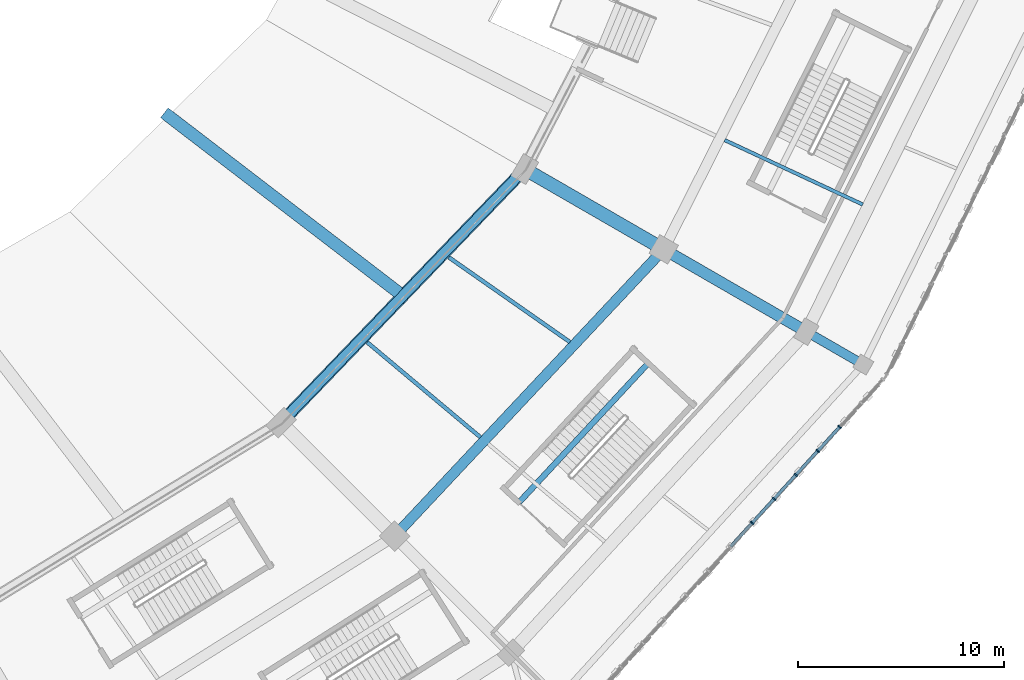
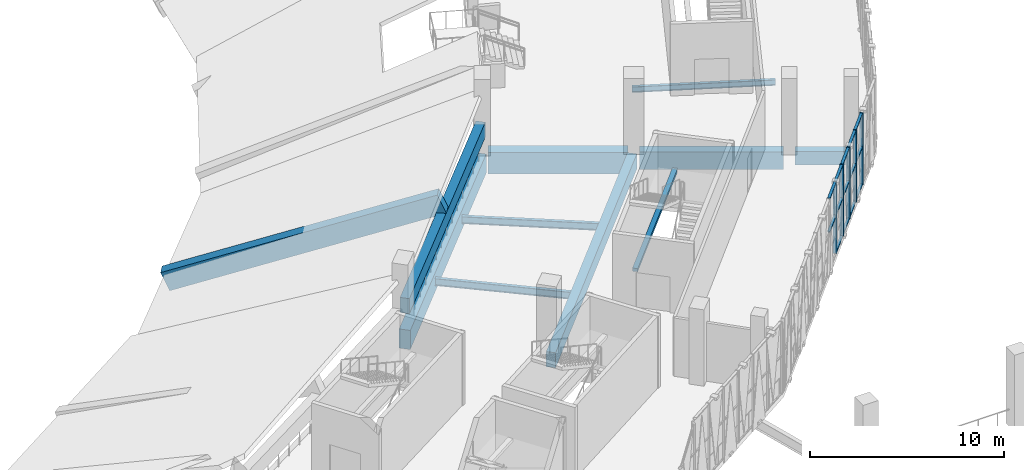
# One storey, part 33 of 183: 19 members, 11 beams, 1 element without a shape of its own.
"""IFC4 building model written with IfcOpenShell, lengths in metres."""

from ifc_helpers import new_model, si_unit, direction, frame, origin, origin_2d, place, context, subcontext, project, spatial, rectangle, i_section, extrude, material, material_profile, profile_set, type_object, element, aggregate, save


model = new_model("IFC4")

# Units and contexts
model_context = context("Model", 3, precision=1e-05, world=origin(), true_north=direction((0.0, 1.0)))
body_context = subcontext(model_context, "Body", "Model", "MODEL_VIEW")
ifc_project = project(units=[si_unit("LENGTHUNIT", "METRE"), si_unit("AREAUNIT", "SQUARE_METRE"), si_unit("VOLUMEUNIT", "CUBIC_METRE"), si_unit("PLANEANGLEUNIT", "RADIAN"), si_unit("MASSUNIT", "GRAM", prefix="KILO")], contexts=[model_context])

# Site, building, storey
site_placement = place(None, origin())
site = spatial("IfcSite", under=ifc_project, at=site_placement, CompositionType="ELEMENT")
building_placement = place(site_placement, origin())
building = spatial("IfcBuilding", under=site, at=building_placement, Name="Zevraka Park Crest Stadium", CompositionType="ELEMENT")
storey_placement = place(building_placement, frame((0.0, 0.0, 5.39990234375)))
storey = spatial("IfcBuildingStorey", under=building, at=storey_placement, Name="L01", CompositionType="ELEMENT", Elevation=5.39990234375)

# Beams
ifc_material_1 = material(Name="Concrete C40/50", Category="concrete")
ifc_material_profile_1 = material_profile(ifc_material_1, rectangle(XDim=0.64990234375, YDim=1.35009765625, at=origin_2d()), Name="RC 1350x650")
ifc_profile_set_1 = profile_set([ifc_material_profile_1], Name="Concrete C40/50")
beam_type_1 = type_object("IfcBeamType", Name="BG01", PredefinedType="BEAM", material=ifc_profile_set_1)
beam_1_placement = place(storey_placement, frame((176.779052734375, 62.10009765625, -0.684814453125), z_axis=(0.866001485781, -0.500041424909, 0.0), x_axis=(0.500041424909, 0.866001485781, 0.0)))
element("IfcBeam", 1, at=beam_1_placement, inside=storey, type_object=beam_type_1, Name="Radial Girder BG01 L01-BC-22", PredefinedType="BEAM", context=body_context, shape_type="SweptSolid", body=[
    extrude(rectangle(XDim=0.64990234375, YDim=1.35009765625, at=origin_2d()), origin(), (0.0, 0.0, 1.0), 7.19970703125),
])
ifc_material_2 = material(Name="Concrete C40/50", Category="concrete")
ifc_material_profile_2 = material_profile(ifc_material_2, rectangle(XDim=0.550048828125, YDim=1.10009765625, at=origin_2d()), Name="RC 1100x550")
ifc_profile_set_2 = profile_set([ifc_material_profile_2], Name="Concrete C40/50")
beam_type_2 = type_object("IfcBeamType", Name="BG02", PredefinedType="BEAM", material=ifc_profile_set_2)
beam_2_placement = place(storey_placement, frame((183.533935546875, 58.199951171875, -0.559814453125), z_axis=(0.86600700885, -0.500031859608, 0.0), x_axis=(0.500031859608, 0.86600700885, 0.0)))
element("IfcBeam", 2, at=beam_2_placement, inside=storey, type_object=beam_type_2, Name="Radial Girder BG02 L01-CD-22", PredefinedType="BEAM", context=body_context, shape_type="SweptSolid", body=[
    extrude(rectangle(XDim=0.550048828125, YDim=1.10009765625, at=origin_2d()), origin(), (0.0, 0.0, 1.0), 7.3994140625),
])
ifc_material_3 = material(Name="Concrete C40/50", Category="concrete")
ifc_material_profile_3 = material_profile(ifc_material_3, rectangle(XDim=0.449951171875, YDim=0.85009765625, at=origin_2d()), Name="RC 850x450")
ifc_profile_set_3 = profile_set([ifc_material_profile_3], Name="Concrete C40/50")
beam_type_3 = type_object("IfcBeamType", Name="BG03", PredefinedType="BEAM", material=ifc_profile_set_3)
beam_3_placement = place(storey_placement, frame((190.4619140625, 54.199951171875, -0.434814453125), z_axis=(0.865950948929, -0.500128937424, 0.0), x_axis=(0.500128937424, 0.865950948929, 0.0)))
element("IfcBeam", 3, at=beam_3_placement, inside=storey, type_object=beam_type_3, Name="Radial Girder BG03 L01-DE-22", PredefinedType="BEAM", context=body_context, shape_type="SweptSolid", body=[
    extrude(rectangle(XDim=0.449951171875, YDim=0.85009765625, at=origin_2d()), origin(), (0.0, 0.0, 1.0), 2.599365234375),
])

# Curtain wall, members
ifc_material_4 = material(Name="Anodised architectural aluminium and laminated safety glass", Category="aluminium")
curtain_wall_type = type_object("IfcCurtainWallType", Name="CW03", PredefinedType="NOTDEFINED", material=ifc_material_4)
curtain_wall_placement = place(storey_placement, origin())
curtain_wall = element("IfcCurtainWall", 4, at=curtain_wall_placement, inside=storey, type_object=curtain_wall_type, Name="Unitised Ring Curtain Wall CW03 L01-21", PredefinedType="NOTDEFINED")
ifc_material_5 = material(Name="Anodised architectural aluminium", Category="aluminium")
ifc_material_profile_4 = material_profile(ifc_material_5, rectangle(XDim=0.199951171875, YDim=0.070068359375, at=origin_2d()), Name="ALU MULLION 200x70")
ifc_profile_set_4 = profile_set([ifc_material_profile_4], Name="Anodised architectural aluminium")
member_type_1 = type_object("IfcMemberType", Name="CM03", PredefinedType="MULLION", material=ifc_profile_set_4)
member_1_placement = place(storey_placement, frame((187.570068359375, 45.0556640625, 0.0), z_axis=(0.0, 0.0, 1.0), x_axis=(-0.739023476371, 0.673679672672, 0.0)))
member_1 = element("IfcMember", 5, at=member_1_placement, type_object=member_type_1, Name="CW03 mullion 9", PredefinedType="MULLION", context=body_context, shape_type="SweptSolid", body=[
    extrude(rectangle(XDim=0.199951171875, YDim=0.070068359375, at=origin_2d()), origin(), (0.0, 0.0, 1.0), 4.52001953125),
])
member_2_placement = place(storey_placement, frame((188.6328125, 46.221435546875, 0.0), z_axis=(0.0, 0.0, 1.0), x_axis=(-0.739023476371, 0.673679672672, 0.0)))
member_2 = element("IfcMember", 6, at=member_2_placement, type_object=member_type_1, Name="CW03 mullion 10", PredefinedType="MULLION", context=body_context, shape_type="SweptSolid", body=[
    extrude(rectangle(XDim=0.199951171875, YDim=0.070068359375, at=origin_2d()), origin(), (0.0, 0.0, 1.0), 4.52001953125),
])
member_3_placement = place(storey_placement, frame((189.6953125, 47.38720703125, 0.0), z_axis=(0.0, 0.0, 1.0), x_axis=(-0.739023476371, 0.673679672672, 0.0)))
member_3 = element("IfcMember", 7, at=member_3_placement, type_object=member_type_1, Name="CW03 mullion 11", PredefinedType="MULLION", context=body_context, shape_type="SweptSolid", body=[
    extrude(rectangle(XDim=0.199951171875, YDim=0.070068359375, at=origin_2d()), origin(), (0.0, 0.0, 1.0), 4.52001953125),
])
member_4_placement = place(storey_placement, frame((190.758056640625, 48.552978515625, 0.0), z_axis=(0.0, 0.0, 1.0), x_axis=(-0.739023476371, 0.673679672672, 0.0)))
member_4 = element("IfcMember", 8, at=member_4_placement, type_object=member_type_1, Name="CW03 mullion 12", PredefinedType="MULLION", context=body_context, shape_type="SweptSolid", body=[
    extrude(rectangle(XDim=0.199951171875, YDim=0.070068359375, at=origin_2d()), origin(), (0.0, 0.0, 1.0), 4.52001953125),
])
member_5_placement = place(storey_placement, frame((191.82080078125, 49.718505859375, 0.0), z_axis=(0.0, 0.0, 1.0), x_axis=(-0.739023476371, 0.673679672672, 0.0)))
member_5 = element("IfcMember", 9, at=member_5_placement, type_object=member_type_1, Name="CW03 mullion 13", PredefinedType="MULLION", context=body_context, shape_type="SweptSolid", body=[
    extrude(rectangle(XDim=0.199951171875, YDim=0.070068359375, at=origin_2d()), origin(), (0.0, 0.0, 1.0), 4.52001953125),
])
ifc_material_6 = material(Name="Anodised architectural aluminium", Category="aluminium")
ifc_material_profile_5 = material_profile(ifc_material_6, rectangle(XDim=0.14990234375, YDim=0.070068359375, at=origin_2d()), Name="ALU TRANSOM 150x70")
ifc_profile_set_5 = profile_set([ifc_material_profile_5], Name="Anodised architectural aluminium")
member_type_2 = type_object("IfcMemberType", Name="CT03", PredefinedType="USERDEFINED", material=ifc_profile_set_5)
member_6_placement = place(storey_placement, frame((186.531005859375, 43.915771484375, 2.400146484375), z_axis=(0.673720043681, 0.738986672913, 0.0), x_axis=(-0.738986672913, 0.673720043681, 0.0)))
member_6 = element("IfcMember", 10, at=member_6_placement, type_object=member_type_2, Name="CW03 transom 8.2", ObjectType="TRANSOM", PredefinedType="USERDEFINED", context=body_context, shape_type="SweptSolid", body=[
    extrude(rectangle(XDim=0.14990234375, YDim=0.070068359375, at=origin_2d()), origin(), (0.0, 0.0, 1.0), 1.507568359375),
])
member_7_placement = place(storey_placement, frame((186.531005859375, 43.915771484375, 4.485107421875), z_axis=(0.673720043681, 0.738986672913, 0.0), x_axis=(-0.738986672913, 0.673720043681, 0.0)))
member_7 = element("IfcMember", 11, at=member_7_placement, type_object=member_type_2, Name="CW03 transom 8.3", ObjectType="TRANSOM", PredefinedType="USERDEFINED", context=body_context, shape_type="SweptSolid", body=[
    extrude(rectangle(XDim=0.14990234375, YDim=0.070068359375, at=origin_2d()), origin(), (0.0, 0.0, 1.0), 1.507568359375),
])
member_8_placement = place(storey_placement, frame((187.59375, 45.08154296875, 0.03515625), z_axis=(0.673631587043, 0.739067307448, 0.0), x_axis=(-0.739067307448, 0.673631587043, 0.0)))
member_8 = element("IfcMember", 12, at=member_8_placement, type_object=member_type_2, Name="CW03 transom 9.1", ObjectType="TRANSOM", PredefinedType="USERDEFINED", context=body_context, shape_type="SweptSolid", body=[
    extrude(rectangle(XDim=0.14990234375, YDim=0.070068359375, at=origin_2d()), origin(), (0.0, 0.0, 1.0), 1.50732421875),
])
member_9_placement = place(storey_placement, frame((187.59375, 45.08154296875, 2.400146484375), z_axis=(0.673631587043, 0.739067307448, 0.0), x_axis=(-0.739067307448, 0.673631587043, 0.0)))
member_9 = element("IfcMember", 13, at=member_9_placement, type_object=member_type_2, Name="CW03 transom 9.2", ObjectType="TRANSOM", PredefinedType="USERDEFINED", context=body_context, shape_type="SweptSolid", body=[
    extrude(rectangle(XDim=0.14990234375, YDim=0.070068359375, at=origin_2d()), origin(), (0.0, 0.0, 1.0), 1.50732421875),
])
member_10_placement = place(storey_placement, frame((187.59375, 45.08154296875, 4.485107421875), z_axis=(0.673631587043, 0.739067307448, 0.0), x_axis=(-0.739067307448, 0.673631587043, 0.0)))
member_10 = element("IfcMember", 14, at=member_10_placement, type_object=member_type_2, Name="CW03 transom 9.3", ObjectType="TRANSOM", PredefinedType="USERDEFINED", context=body_context, shape_type="SweptSolid", body=[
    extrude(rectangle(XDim=0.14990234375, YDim=0.070068359375, at=origin_2d()), origin(), (0.0, 0.0, 1.0), 1.50732421875),
])
member_11_placement = place(storey_placement, frame((188.65625, 46.247314453125, 0.03515625), z_axis=(0.673720043681, 0.738986672913, 0.0), x_axis=(-0.738986672913, 0.673720043681, 0.0)))
member_11 = element("IfcMember", 15, at=member_11_placement, type_object=member_type_2, Name="CW03 transom 10.1", ObjectType="TRANSOM", PredefinedType="USERDEFINED", context=body_context, shape_type="SweptSolid", body=[
    extrude(rectangle(XDim=0.14990234375, YDim=0.070068359375, at=origin_2d()), origin(), (0.0, 0.0, 1.0), 1.507568359375),
])
member_12_placement = place(storey_placement, frame((188.65625, 46.247314453125, 2.400146484375), z_axis=(0.673720043681, 0.738986672913, 0.0), x_axis=(-0.738986672913, 0.673720043681, 0.0)))
member_12 = element("IfcMember", 16, at=member_12_placement, type_object=member_type_2, Name="CW03 transom 10.2", ObjectType="TRANSOM", PredefinedType="USERDEFINED", context=body_context, shape_type="SweptSolid", body=[
    extrude(rectangle(XDim=0.14990234375, YDim=0.070068359375, at=origin_2d()), origin(), (0.0, 0.0, 1.0), 1.507568359375),
])
member_13_placement = place(storey_placement, frame((188.65625, 46.247314453125, 4.485107421875), z_axis=(0.673720043681, 0.738986672913, 0.0), x_axis=(-0.738986672913, 0.673720043681, 0.0)))
member_13 = element("IfcMember", 17, at=member_13_placement, type_object=member_type_2, Name="CW03 transom 10.3", ObjectType="TRANSOM", PredefinedType="USERDEFINED", context=body_context, shape_type="SweptSolid", body=[
    extrude(rectangle(XDim=0.14990234375, YDim=0.070068359375, at=origin_2d()), origin(), (0.0, 0.0, 1.0), 1.507568359375),
])
member_14_placement = place(storey_placement, frame((189.718994140625, 47.4130859375, 0.03515625), z_axis=(0.673631587043, 0.739067307448, 0.0), x_axis=(-0.739067307448, 0.673631587043, 0.0)))
member_14 = element("IfcMember", 18, at=member_14_placement, type_object=member_type_2, Name="CW03 transom 11.1", ObjectType="TRANSOM", PredefinedType="USERDEFINED", context=body_context, shape_type="SweptSolid", body=[
    extrude(rectangle(XDim=0.14990234375, YDim=0.070068359375, at=origin_2d()), origin(), (0.0, 0.0, 1.0), 1.50732421875),
])
member_15_placement = place(storey_placement, frame((189.718994140625, 47.4130859375, 2.400146484375), z_axis=(0.673631587043, 0.739067307448, 0.0), x_axis=(-0.739067307448, 0.673631587043, 0.0)))
member_15 = element("IfcMember", 19, at=member_15_placement, type_object=member_type_2, Name="CW03 transom 11.2", ObjectType="TRANSOM", PredefinedType="USERDEFINED", context=body_context, shape_type="SweptSolid", body=[
    extrude(rectangle(XDim=0.14990234375, YDim=0.070068359375, at=origin_2d()), origin(), (0.0, 0.0, 1.0), 1.50732421875),
])
member_16_placement = place(storey_placement, frame((189.718994140625, 47.4130859375, 4.485107421875), z_axis=(0.673631587043, 0.739067307448, 0.0), x_axis=(-0.739067307448, 0.673631587043, 0.0)))
member_16 = element("IfcMember", 20, at=member_16_placement, type_object=member_type_2, Name="CW03 transom 11.3", ObjectType="TRANSOM", PredefinedType="USERDEFINED", context=body_context, shape_type="SweptSolid", body=[
    extrude(rectangle(XDim=0.14990234375, YDim=0.070068359375, at=origin_2d()), origin(), (0.0, 0.0, 1.0), 1.50732421875),
])
member_17_placement = place(storey_placement, frame((190.78173828125, 48.57861328125, 0.03515625), z_axis=(0.673631587043, 0.739067307448, 0.0), x_axis=(-0.739067307448, 0.673631587043, 0.0)))
member_17 = element("IfcMember", 21, at=member_17_placement, type_object=member_type_2, Name="CW03 transom 12.1", ObjectType="TRANSOM", PredefinedType="USERDEFINED", context=body_context, shape_type="SweptSolid", body=[
    extrude(rectangle(XDim=0.14990234375, YDim=0.070068359375, at=origin_2d()), origin(), (0.0, 0.0, 1.0), 1.50732421875),
])
member_18_placement = place(storey_placement, frame((190.78173828125, 48.57861328125, 2.400146484375), z_axis=(0.673631587043, 0.739067307448, 0.0), x_axis=(-0.739067307448, 0.673631587043, 0.0)))
member_18 = element("IfcMember", 22, at=member_18_placement, type_object=member_type_2, Name="CW03 transom 12.2", ObjectType="TRANSOM", PredefinedType="USERDEFINED", context=body_context, shape_type="SweptSolid", body=[
    extrude(rectangle(XDim=0.14990234375, YDim=0.070068359375, at=origin_2d()), origin(), (0.0, 0.0, 1.0), 1.50732421875),
])
member_19_placement = place(storey_placement, frame((190.78173828125, 48.57861328125, 4.485107421875), z_axis=(0.673631587043, 0.739067307448, 0.0), x_axis=(-0.739067307448, 0.673631587043, 0.0)))
member_19 = element("IfcMember", 23, at=member_19_placement, type_object=member_type_2, Name="CW03 transom 12.3", ObjectType="TRANSOM", PredefinedType="USERDEFINED", context=body_context, shape_type="SweptSolid", body=[
    extrude(rectangle(XDim=0.14990234375, YDim=0.070068359375, at=origin_2d()), origin(), (0.0, 0.0, 1.0), 1.50732421875),
])
aggregate(curtain_wall, [member_1, member_2, member_3, member_4, member_5, member_6, member_7, member_8, member_9, member_10, member_11, member_12, member_13, member_14, member_15, member_16, member_17, member_18, member_19])

# Beams
ifc_material_7 = material(Name="Concrete C40/50", Category="concrete")
ifc_material_profile_6 = material_profile(ifc_material_7, rectangle(XDim=0.60009765625, YDim=1.199951171875, at=origin_2d()), Name="RC 1200x600")
ifc_profile_set_6 = profile_set([ifc_material_profile_6], Name="Concrete C40/50")
beam_type_4 = type_object("IfcBeamType", Name="RB01", PredefinedType="BEAM", material=ifc_profile_set_6)
beam_4_placement = place(storey_placement, frame((164.94189453125, 50.200927734375, -0.60986328125), z_axis=(0.692852617328, 0.721079226342, 0.0), x_axis=(-0.721079226342, 0.692852617328, 0.0)))
element("IfcBeam", 24, at=beam_4_placement, inside=storey, type_object=beam_type_4, Name="Ring Beam RB01 L01-B-21", PredefinedType="BEAM", context=body_context, shape_type="SweptSolid", body=[
    extrude(rectangle(XDim=0.60009765625, YDim=1.199951171875, at=origin_2d()), origin(), (0.0, 0.0, 1.0), 16.329833984375),
])
ifc_material_8 = material(Name="Concrete C40/50", Category="concrete")
ifc_material_profile_7 = material_profile(ifc_material_8, rectangle(XDim=0.5, YDim=0.949951171875, at=origin_2d()), Name="RC 950x500")
ifc_profile_set_7 = profile_set([ifc_material_profile_7], Name="Concrete C40/50")
beam_type_5 = type_object("IfcBeamType", Name="RB02", PredefinedType="BEAM", material=ifc_profile_set_7)
beam_5_placement = place(storey_placement, frame((170.455078125, 44.68896484375, -0.48486328125), z_axis=(0.684268936493, 0.729229746068, 0.0), x_axis=(-0.729229746068, 0.684268936493, 0.0)))
element("IfcBeam", 25, at=beam_5_placement, inside=storey, type_object=beam_type_5, Name="Ring Beam RB02 L01-C-21", PredefinedType="BEAM", context=body_context, shape_type="SweptSolid", body=[
    extrude(rectangle(XDim=0.5, YDim=0.949951171875, at=origin_2d()), origin(), (0.0, 0.0, 1.0), 18.353759765625),
])
beam_6_placement = place(storey_placement, frame((164.94189453125, 50.200927734375, 1.505126953125), z_axis=(0.692852617328, 0.721079226342, 0.0), x_axis=(-0.721079226342, 0.692852617328, 0.0)))
element("IfcBeam", 26, at=beam_6_placement, inside=storey, type_object=beam_type_5, Name="Lower Tier Head Raker Ring Beam RB02 21", PredefinedType="BEAM", context=body_context, shape_type="SweptSolid", body=[
    extrude(rectangle(XDim=0.5, YDim=0.949951171875, at=origin_2d()), origin(), (0.0, 0.0, 1.0), 16.329833984375),
])
ifc_material_9 = material(Name="Concrete C40/50", Category="concrete")
ifc_material_profile_8 = material_profile(ifc_material_9, rectangle(XDim=0.60009765625, YDim=1.199951171875, at=origin_2d()), Name="RC 1200x600")
ifc_profile_set_8 = profile_set([ifc_material_profile_8], Name="Concrete C40/50")
beam_type_6 = type_object("IfcBeamType", Name="RK01", PredefinedType="BEAM", material=ifc_profile_set_8)
beam_7_placement = place(storey_placement, frame((159.194091796875, 64.840087890625, -3.64990234375), z_axis=(0.728653940697, -0.559167614686, 0.395468094026), x_axis=(0.608796912594, 0.793326111518, 0.0)))
element("IfcBeam", 27, at=beam_7_placement, inside=storey, type_object=beam_type_6, Name="Lower Bowl Raker Girder RK01 21", PredefinedType="BEAM", context=body_context, shape_type="SweptSolid", body=[
    extrude(rectangle(XDim=0.60009765625, YDim=1.199951171875, at=origin_2d()), origin(), (0.0, 0.0, 1.0), 15.652099609375),
])
ifc_material_10 = material(Name="Steel S355", Category="steel")
ifc_material_profile_9 = material_profile(ifc_material_10, i_section(OverallWidth=0.169921875, OverallDepth=0.360107421875, WebThickness=0.008056640625, FlangeThickness=0.0126953125, at=origin_2d()), Name="IPE 360")
ifc_profile_set_9 = profile_set([ifc_material_profile_9], Name="Steel S355")
beam_type_7 = type_object("IfcBeamType", Name="SJ02", PredefinedType="JOIST", material=ifc_profile_set_9)
beam_8_placement = place(storey_placement, frame((186.237060546875, 63.656982421875, -0.48779296875), z_axis=(0.906183982971, -0.42288365895, 0.0), x_axis=(0.42288365895, 0.906183982971, 0.0)))
element("IfcBeam", 28, at=beam_8_placement, inside=storey, type_object=beam_type_7, Name="Floor Joist SJ02 L01-CD-22-1", PredefinedType="JOIST", context=body_context, shape_type="SweptSolid", body=[
    extrude(i_section(OverallWidth=0.169921875, OverallDepth=0.360107421875, WebThickness=0.008056640625, FlangeThickness=0.0126953125, at=origin_2d()), origin(), (0.0, 0.0, 1.0), 7.39892578125),
])
ifc_material_11 = material(Name="Steel S355", Category="steel")
ifc_material_profile_10 = material_profile(ifc_material_11, i_section(OverallWidth=0.18994140625, OverallDepth=0.449951171875, WebThickness=0.009521484375, FlangeThickness=0.0146484375, at=origin_2d()), Name="IPE 450")
ifc_profile_set_10 = profile_set([ifc_material_profile_10], Name="Steel S355")
beam_type_8 = type_object("IfcBeamType", Name="SJ03", PredefinedType="JOIST", material=ifc_profile_set_10)
beam_9_placement = place(storey_placement, frame((168.866943359375, 53.83203125, -0.532958984375), z_axis=(0.765981429362, -0.642862699083, 0.0), x_axis=(0.642862699083, 0.765981429362, 0.0)))
element("IfcBeam", 29, at=beam_9_placement, inside=storey, type_object=beam_type_8, Name="Floor Joist SJ03 L01-BC-21-1", PredefinedType="JOIST", context=body_context, shape_type="SweptSolid", body=[
    extrude(i_section(OverallWidth=0.18994140625, OverallDepth=0.449951171875, WebThickness=0.009521484375, FlangeThickness=0.0146484375, at=origin_2d()), origin(), (0.0, 0.0, 1.0), 7.180419921875),
])
beam_10_placement = place(storey_placement, frame((172.830078125, 57.9619140625, -0.532958984375), z_axis=(0.819291006528, -0.573377926522, 0.0), x_axis=(0.573377926522, 0.819291006528, 0.0)))
element("IfcBeam", 30, at=beam_10_placement, inside=storey, type_object=beam_type_8, Name="Floor Joist SJ03 L01-BC-21-2", PredefinedType="JOIST", context=body_context, shape_type="SweptSolid", body=[
    extrude(i_section(OverallWidth=0.18994140625, OverallDepth=0.449951171875, WebThickness=0.009521484375, FlangeThickness=0.0146484375, at=origin_2d()), origin(), (0.0, 0.0, 1.0), 7.181884765625),
])
ifc_material_12 = material(Name="Concrete C40/50", Category="concrete")
ifc_material_profile_11 = material_profile(ifc_material_12, rectangle(XDim=0.280029296875, YDim=0.199951171875, at=origin_2d()), Name="RC 200x280")
ifc_profile_set_11 = profile_set([ifc_material_profile_11], Name="Concrete C40/50")
beam_type_9 = type_object("IfcBeamType", Name="SJ13", PredefinedType="JOIST", material=ifc_profile_set_11)
beam_11_placement = place(storey_placement, frame((176.252685546875, 46.062255859375, 2.300048828125), z_axis=(0.680247587728, 0.732982414107, 0.0), x_axis=(-0.732982414107, 0.680247587728, 0.0)))
element("IfcBeam", 31, at=beam_11_placement, inside=storey, type_object=beam_type_9, Name="Stair Upper-Flight Longitudinal Stringer SJ13 ST22-L01", PredefinedType="JOIST", context=body_context, shape_type="SweptSolid", body=[
    extrude(rectangle(XDim=0.280029296875, YDim=0.199951171875, at=origin_2d()), origin(), (0.0, 0.0, 1.0), 9.25),
])

save(model, "model.ifc")
